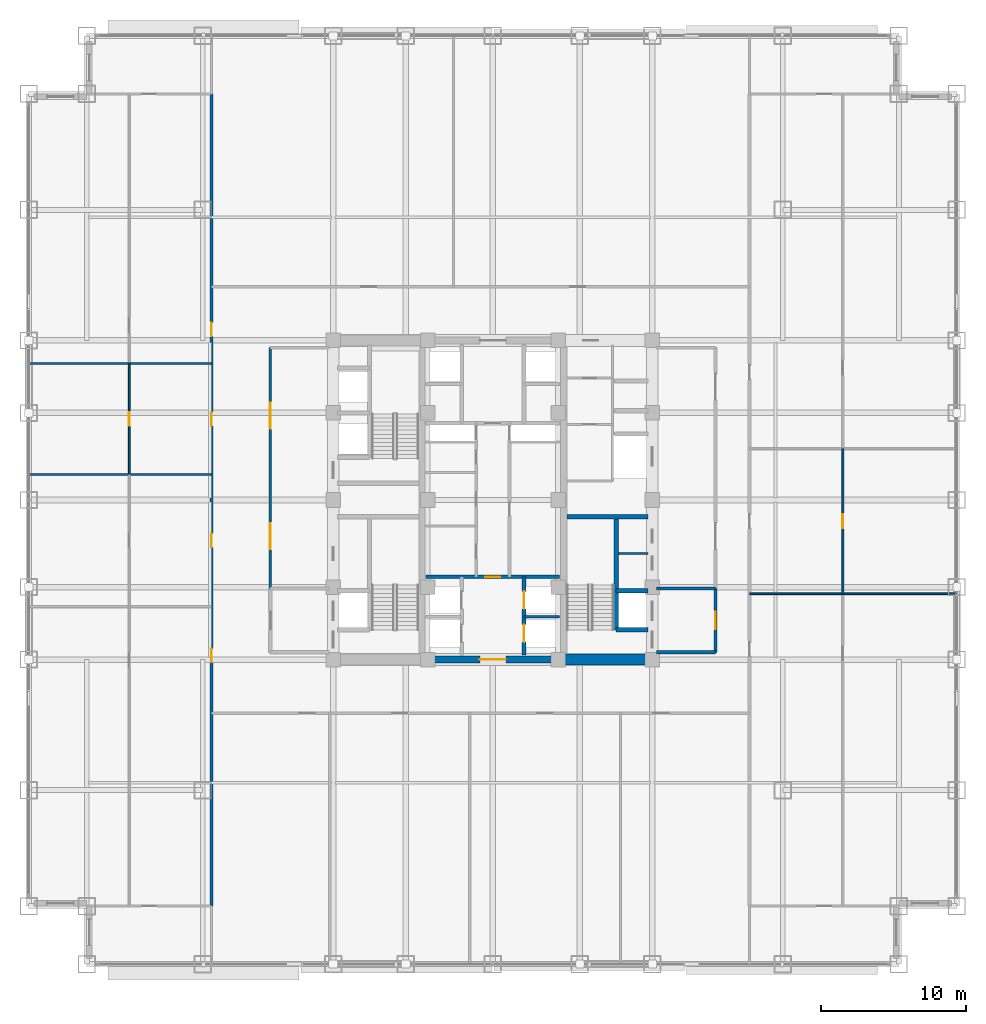
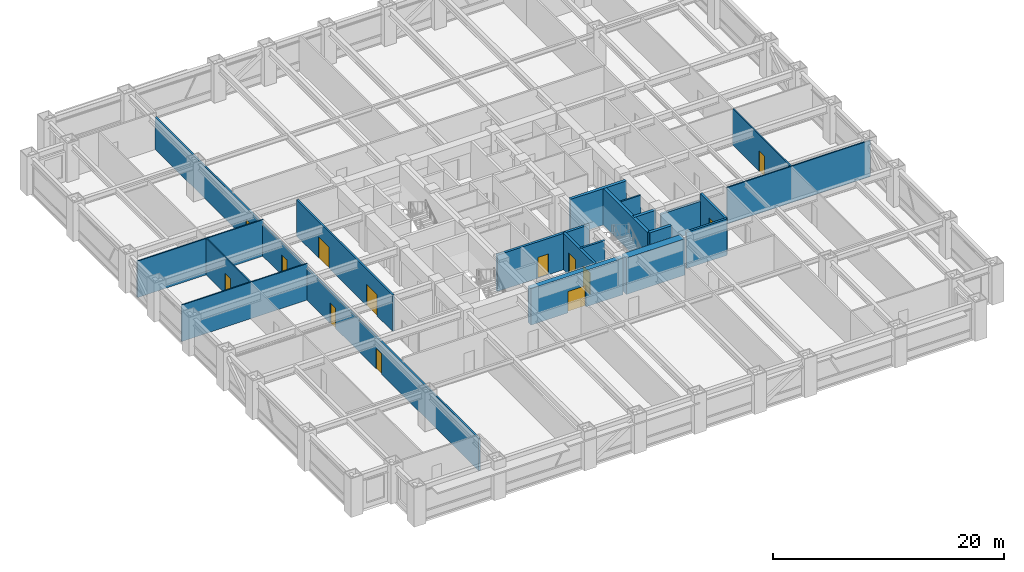
# One storey, part 24 of 32: 20 walls, 13 doors, 13 openings.
"""IFC4 building model written with IfcOpenShell, lengths in metres."""

from ifc_helpers import new_model, si_unit, direction, frame, frame_2d, origin, place, context, subcontext, project, spatial, rectangle, extrude, source, transform, mapped, material, layer, layer_set, type_object, element, fill, save


model = new_model("IFC4")

# Units and contexts
model_context = context("Model", 3, precision=1e-05, world=origin(), true_north=direction((0.0, 1.0)))
body_context = subcontext(model_context, "Body", "Model", "MODEL_VIEW")
ifc_project = project(units=[si_unit("LENGTHUNIT", "METRE"), si_unit("AREAUNIT", "SQUARE_METRE"), si_unit("VOLUMEUNIT", "CUBIC_METRE"), si_unit("PLANEANGLEUNIT", "RADIAN"), si_unit("MASSUNIT", "GRAM", prefix="KILO")], contexts=[model_context])

# Site, building, storey
site_placement = place(None, origin())
site = spatial("IfcSite", under=ifc_project, at=site_placement, CompositionType="ELEMENT")
building_placement = place(site_placement, origin())
building = spatial("IfcBuilding", under=site, at=building_placement, Name="Khorayat Bourse Tower", CompositionType="ELEMENT")
storey_placement = place(building_placement, frame((0.0, 0.0, 128.300048828125)))
storey = spatial("IfcBuildingStorey", under=building, at=storey_placement, Name="L29", CompositionType="ELEMENT", Elevation=128.300048828125)

# Walls
ifc_material_1 = material(Name="Concrete C72/90", Category="concrete")
ifc_layer_1 = layer(ifc_material_1, 0.75)
ifc_layer_set_1 = layer_set([ifc_layer_1], Name="Concrete C72/90")
wall_type_1 = type_object("IfcWallType", Name="WAL-CORE-750", PredefinedType="SHEAR", material=ifc_layer_set_1)
shared_shape_1 = source(origin(), body_context, "Body", "SweptSolid", [
    extrude(rectangle(XDim=5.849853515625, YDim=0.75, at=frame_2d((2.9248046875, 0.0))), origin(), (0.0, 0.0, 1.0), 3.83984375),
])
wall_1_placement = place(storey_placement, frame((4.85009765625, -11.0, 0.0), z_axis=(0.0, 0.0, 1.0), x_axis=(1.0, 0.0, 0.0)))
element("IfcWall", 1, at=wall_1_placement, inside=storey, type_object=wall_type_1, Name="L29 Core Shear Wall PIER-ES", PredefinedType="SHEAR", context=body_context, shape_type="MappedRepresentation", body=[
    mapped(shared_shape_1, transform((0.0, 0.0, 0.0), scale=1.0)),
])
ifc_material_2 = material(Name="Concrete C50/60", Category="concrete")
ifc_layer_2 = layer(ifc_material_2, 0.300048828125)
ifc_layer_set_2 = layer_set([ifc_layer_2], Name="Concrete C50/60")
wall_type_2 = type_object("IfcWallType", Name="WAL-SHAFT-300", PredefinedType="SHEAR", material=ifc_layer_set_2)
shared_shape_2 = source(origin(), body_context, "Body", "SweptSolid", [
    extrude(rectangle(XDim=5.599853515625, YDim=0.300048828125, at=frame_2d((2.7998046875, 0.0))), origin(), (0.0, 0.0, 1.0), 3.83984375),
])
wall_2_placement = place(storey_placement, frame((5.10009765625, -1.14990234375, 0.0), z_axis=(0.0, 0.0, 1.0), x_axis=(1.0, 0.0, 0.0)))
element("IfcWall", 2, at=wall_2_placement, inside=storey, type_object=wall_type_2, Name="L29 Core Shear Wall ST3-DIV", PredefinedType="SHEAR", context=body_context, shape_type="MappedRepresentation", body=[
    mapped(shared_shape_2, transform((0.0, 0.0, 0.0), scale=1.0)),
])

# Wall, opening, door
ifc_material_3 = material(Name="Concrete C52/65", Category="concrete")
ifc_layer_3 = layer(ifc_material_3, 0.5)
ifc_layer_set_3 = layer_set([ifc_layer_3], Name="Concrete C52/65")
wall_type_3 = type_object("IfcWallType", Name="WAL-CORE-500", PredefinedType="SHEAR", material=ifc_layer_set_3)
shared_shape_3 = source(origin(), body_context, "Body", "SweptSolid", [
    extrude(rectangle(XDim=9.2001953125, YDim=0.5, at=frame_2d((4.60009765625, 0.0))), origin(), (0.0, 0.0, 1.0), 3.83984375),
])
wall_3_placement = place(storey_placement, frame((-4.60009765625, -11.0, 0.0), z_axis=(0.0, 0.0, 1.0), x_axis=(1.0, 0.0, 0.0)))
wall_3 = element("IfcWall", 3, at=wall_3_placement, inside=storey, type_object=wall_type_3, Name="L29 Core Shear Wall CORE-S", PredefinedType="SHEAR", context=body_context, shape_type="MappedRepresentation", body=[
    mapped(shared_shape_3, transform((0.0, 0.0, 0.0), scale=1.0)),
])
shared_shape_4 = source(origin(), body_context, "Body", "SweptSolid", [
    extrude(rectangle(XDim=1.800048828125, YDim=2.25, at=frame_2d((0.89990234375, 1.125))), frame((0.0, 0.260009765625, 0.0), z_axis=(0.0, -1.0, 0.0), x_axis=(1.0, 0.0, 0.0)), (0.0, 0.0, 1.0), 0.52001953125),
])
opening_1_placement = place(wall_3_placement, frame((3.699951171875, 0.0, 0.0)))
opening_1 = element("IfcOpeningElement", 4, at=opening_1_placement, cuts=wall_3, Name="Opening DI-03", PredefinedType="OPENING", context=body_context, shape_type="MappedRepresentation", body=[
    mapped(shared_shape_4, transform((0.0, 0.0, 0.0), scale=1.0)),
])
ifc_material_4 = material(Name="Fire-rated hardwood vision-panel double leaf", Category="wood")
door_type_1 = type_object("IfcDoorType", Name="DR-INT-CORR-1800", OperationType="NOTDEFINED", PredefinedType="DOOR", material=ifc_material_4)
shared_shape_5 = source(origin(), body_context, "Body", "SweptSolid", [
    extrude(rectangle(XDim=1.800048828125, YDim=2.25, at=frame_2d((0.89990234375, 1.125))), frame((0.0, 0.02490234375, 0.0), z_axis=(0.0, -1.0, 0.0), x_axis=(1.0, 0.0, 0.0)), (0.0, 0.0, 1.0), 0.050048828125),
])
door_1_placement = place(opening_1_placement, origin())
door_1 = element("IfcDoor", 5, at=door_1_placement, inside=storey, type_object=door_type_1, Name="L29 Low-Rise Lift Lobby Door", OperationType="SINGLE_SWING_LEFT", OverallHeight=2.25, OverallWidth=1.800048828125, PredefinedType="DOOR", context=body_context, shape_type="MappedRepresentation", body=[
    mapped(shared_shape_5, transform((0.0, 0.0, 0.0), scale=1.0)),
])
fill(opening_1, door_1)

# Walls
ifc_material_5 = material(Name="Aerated concrete blockwork", Category="masonry")
ifc_layer_4 = layer(ifc_material_5, 0.219970703125)
ifc_layer_set_4 = layer_set([ifc_layer_4], Name="Aerated concrete blockwork")
wall_type_4 = type_object("IfcWallType", Name="WAL-PART-FF-220", PredefinedType="PARTITIONING", material=ifc_layer_set_4)
shared_shape_6 = source(origin(), body_context, "Body", "SweptSolid", [
    extrude(rectangle(XDim=4.050048828125, YDim=0.219970703125, at=frame_2d((2.02490234375, 0.0))), origin(), (0.0, 0.0, 1.0), 3.06689453125),
])
wall_4_placement = place(storey_placement, frame((11.300048828125, -6.10009765625, 0.0), z_axis=(0.0, 0.0, 1.0), x_axis=(1.0, 0.0, 0.0)))
element("IfcWall", 6, at=wall_4_placement, inside=storey, type_object=wall_type_4, Name="L29 Partition WAL-L29-FFLE-N", PredefinedType="PARTITIONING", context=body_context, shape_type="MappedRepresentation", body=[
    mapped(shared_shape_6, transform((0.0, 0.0, 0.0), scale=1.0)),
])
shared_shape_7 = source(origin(), body_context, "Body", "SweptSolid", [
    extrude(rectangle(XDim=7.800048828125, YDim=0.300048828125, at=frame_2d((3.89990234375, 0.0))), origin(), (0.0, 0.0, 1.0), 3.83984375),
])
wall_5_placement = place(storey_placement, frame((8.5, -8.949951171875, 0.0), z_axis=(0.0, 0.0, 1.0), x_axis=(0.0, 1.0, 0.0)))
element("IfcWall", 7, at=wall_5_placement, inside=storey, type_object=wall_type_2, Name="L29 Partition WAL-L29-EPIER-SP", PredefinedType="SHEAR", context=body_context, shape_type="MappedRepresentation", body=[
    mapped(shared_shape_7, transform((0.0, 0.0, 0.0), scale=1.0)),
])
shared_shape_8 = source(origin(), body_context, "Body", "SweptSolid", [
    extrude(rectangle(XDim=2.199951171875, YDim=0.300048828125, at=frame_2d((1.10009765625, 0.0))), origin(), (0.0, 0.0, 1.0), 3.83984375),
])
for number, where, z_axis, x_axis, name in (
    (8, (8.5, -8.949951171875, 0.0), (0.0, 0.0, 1.0), (1.0, 0.0, 0.0), "L29 Partition WAL-L29-EPIER-FF2S"),
    (9, (8.5, -6.25, 0.0), (0.0, 0.0, 1.0), (1.0, 0.0, 0.0), "L29 Partition WAL-L29-EPIER-FF2N"),
):
    element("IfcWall", number, at=place(storey_placement, frame(where, z_axis=z_axis, x_axis=x_axis)), inside=storey, type_object=wall_type_2, Name=name, PredefinedType="SHEAR", context=body_context, shape_type="MappedRepresentation", body=[
        mapped(shared_shape_8, transform((0.0, 0.0, 0.0), scale=1.0)),
    ])
ifc_material_6 = material(Name="Gypsum plasterboard twin-frame partition")
ifc_layer_5 = layer(ifc_material_6, 0.14990234375)
ifc_layer_set_5 = layer_set([ifc_layer_5], Name="Gypsum plasterboard twin-frame partition")
wall_type_5 = type_object("IfcWallType", Name="WAL-PART-SUITE-150", PredefinedType="PARTITIONING", material=ifc_layer_set_5)
shared_shape_9 = source(origin(), body_context, "Body", "SweptSolid", [
    extrude(rectangle(XDim=2.050048828125, YDim=0.14990234375, at=frame_2d((1.02490234375, 0.0))), origin(), (0.0, 0.0, 1.0), 3.83984375),
])
wall_6_placement = place(storey_placement, frame((8.64990234375, -3.699951171875, 0.0), z_axis=(0.0, 0.0, 1.0), x_axis=(1.0, 0.0, 0.0)))
element("IfcWall", 10, at=wall_6_placement, inside=storey, type_object=wall_type_5, Name="L29 Partition WAL-L29-ESRV-D1", PredefinedType="PARTITIONING", context=body_context, shape_type="MappedRepresentation", body=[
    mapped(shared_shape_9, transform((0.0, 0.0, 0.0), scale=1.0)),
])
shared_shape_10 = source(origin(), body_context, "Body", "SweptSolid", [
    extrude(rectangle(XDim=4.050048828125, YDim=0.219970703125, at=frame_2d((2.02490234375, 0.0))), origin(), (0.0, 0.0, 1.0), 3.83984375),
])
wall_7_placement = place(storey_placement, frame((11.300048828125, -10.5, 0.0), z_axis=(0.0, 0.0, 1.0), x_axis=(1.0, 0.0, 0.0)))
element("IfcWall", 11, at=wall_7_placement, inside=storey, type_object=wall_type_4, Name="L29 Partition WAL-L29-FFLE-S", PredefinedType="PARTITIONING", context=body_context, shape_type="MappedRepresentation", body=[
    mapped(shared_shape_10, transform((0.0, 0.0, 0.0), scale=1.0)),
])

# Wall, opening, door
shared_shape_11 = source(origin(), body_context, "Body", "SweptSolid", [
    extrude(rectangle(XDim=4.39990234375, YDim=0.219970703125, at=frame_2d((2.199951171875, 0.0))), origin(), (0.0, 0.0, 1.0), 3.83984375),
])
wall_8_placement = place(storey_placement, frame((15.35009765625, -10.5, 0.0), z_axis=(0.0, 0.0, 1.0), x_axis=(0.0, 1.0, 0.0)))
wall_8 = element("IfcWall", 12, at=wall_8_placement, inside=storey, type_object=wall_type_4, Name="L29 Partition WAL-L29-FFLE-E", PredefinedType="PARTITIONING", context=body_context, shape_type="MappedRepresentation", body=[
    mapped(shared_shape_11, transform((0.0, 0.0, 0.0), scale=1.0)),
])
shared_shape_12 = source(origin(), body_context, "Body", "SweptSolid", [
    extrude(rectangle(XDim=1.199951171875, YDim=2.199951171875, at=frame_2d((0.60009765625, 1.10009765625))), frame((0.0, 0.119873046875, 0.0), z_axis=(0.0, -1.0, 0.0), x_axis=(1.0, 0.0, 0.0)), (0.0, 0.0, 1.0), 0.239990234375),
])
opening_2_placement = place(wall_8_placement, frame((1.60009765625, 0.0, 0.0)))
opening_2 = element("IfcOpeningElement", 13, at=opening_2_placement, cuts=wall_8, Name="Opening DI-02", PredefinedType="OPENING", context=body_context, shape_type="MappedRepresentation", body=[
    mapped(shared_shape_12, transform((0.0, 0.0, 0.0), scale=1.0)),
])
ifc_material_7 = material(Name="Fire-rated steel double-seal leaf", Category="steel")
door_type_2 = type_object("IfcDoorType", Name="DR-INT-FFLOBBY-1200", OperationType="NOTDEFINED", PredefinedType="DOOR", material=ifc_material_7)
shared_shape_13 = source(origin(), body_context, "Body", "SweptSolid", [
    extrude(rectangle(XDim=1.199951171875, YDim=2.199951171875, at=frame_2d((0.60009765625, 1.10009765625))), frame((0.0, 0.02490234375, 0.0), z_axis=(0.0, -1.0, 0.0), x_axis=(1.0, 0.0, 0.0)), (0.0, 0.0, 1.0), 0.050048828125),
])
door_2_placement = place(opening_2_placement, origin())
door_2 = element("IfcDoor", 14, at=door_2_placement, inside=storey, type_object=door_type_2, Name="L29 East Firefighting Lobby Door", OperationType="SINGLE_SWING_RIGHT", OverallHeight=2.199951171875, OverallWidth=1.199951171875, PredefinedType="DOOR", context=body_context, shape_type="MappedRepresentation", body=[
    mapped(shared_shape_13, transform((0.0, 0.0, 0.0), scale=1.0)),
])
fill(opening_2, door_2)

# Wall, openings, doors
ifc_material_8 = material(Name="Gypsum plasterboard acoustic stud wall")
ifc_layer_6 = layer(ifc_material_8, 0.179931640625)
ifc_layer_set_6 = layer_set([ifc_layer_6], Name="Gypsum plasterboard acoustic stud wall")
wall_type_6 = type_object("IfcWallType", Name="WAL-PART-CORR-180", PredefinedType="PARTITIONING", material=ifc_layer_set_6)
shared_shape_14 = source(origin(), body_context, "Body", "SweptSolid", [
    extrude(rectangle(XDim=16.60009765625, YDim=0.179931640625, at=frame_2d((8.300048828125, 0.0))), origin(), (0.0, 0.0, 1.0), 3.83984375),
])
wall_9_placement = place(storey_placement, frame((-15.35009765625, -6.10009765625, 0.0), z_axis=(0.0, 0.0, 1.0), x_axis=(0.0, 1.0, 0.0)))
wall_9 = element("IfcWall", 15, at=wall_9_placement, inside=storey, type_object=wall_type_6, Name="L29 Partition WAL-L29-WLOB-W", PredefinedType="PARTITIONING", context=body_context, shape_type="MappedRepresentation", body=[
    mapped(shared_shape_14, transform((0.0, 0.0, 0.0), scale=1.0)),
])
shared_shape_15 = source(origin(), body_context, "Body", "SweptSolid", [
    extrude(rectangle(XDim=1.800048828125, YDim=2.25, at=frame_2d((0.89990234375, 1.125))), frame((0.0, 0.099853515625, 0.0), z_axis=(0.0, -1.0, 0.0), x_axis=(1.0, 0.0, 0.0)), (0.0, 0.0, 1.0), 0.199951171875),
])
opening_3_placement = place(wall_9_placement, frame((2.699951171875, 0.0, 0.0)))
opening_3 = element("IfcOpeningElement", 16, at=opening_3_placement, cuts=wall_9, Name="Opening DI-03", PredefinedType="OPENING", context=body_context, shape_type="MappedRepresentation", body=[
    mapped(shared_shape_15, transform((0.0, 0.0, 0.0), scale=1.0)),
])
opening_4_placement = place(wall_9_placement, frame((11.0, 0.0, 0.0)))
opening_4 = element("IfcOpeningElement", 17, at=opening_4_placement, cuts=wall_9, Name="Opening DI-03", PredefinedType="OPENING", context=body_context, shape_type="MappedRepresentation", body=[
    mapped(shared_shape_15, transform((0.0, 0.0, 0.0), scale=1.0)),
])
door_3_placement = place(opening_3_placement, origin())
door_3 = element("IfcDoor", 18, at=door_3_placement, inside=storey, type_object=door_type_1, Name="L29 West Core Lobby South Door", OperationType="SINGLE_SWING_LEFT", OverallHeight=2.25, OverallWidth=1.800048828125, PredefinedType="DOOR", context=body_context, shape_type="MappedRepresentation", body=[
    mapped(shared_shape_5, transform((0.0, 0.0, 0.0), scale=1.0)),
])
fill(opening_3, door_3)
door_4_placement = place(opening_4_placement, origin())
door_4 = element("IfcDoor", 19, at=door_4_placement, inside=storey, type_object=door_type_1, Name="L29 West Core Lobby North Door", OperationType="SINGLE_SWING_RIGHT", OverallHeight=2.25, OverallWidth=1.800048828125, PredefinedType="DOOR", context=body_context, shape_type="MappedRepresentation", body=[
    mapped(shared_shape_5, transform((0.0, 0.0, 0.0), scale=1.0)),
])
fill(opening_4, door_4)

shared_shape_16 = source(origin(), body_context, "Body", "SweptSolid", [
    extrude(rectangle(XDim=5.39990234375, YDim=0.25, at=frame_2d((2.699951171875, 0.0))), origin(), (0.0, 0.0, 1.0), 3.83984375),
])
wall_10_placement = place(storey_placement, frame((2.14990234375, -10.699951171875, 0.0), z_axis=(0.0, 0.0, 1.0), x_axis=(0.0, 1.0, 0.0)))
wall_10 = element("IfcWall", 20, at=wall_10_placement, inside=storey, type_object=wall_type_2, Name="L29 Partition WAL-L29-B1-E", PredefinedType="SHEAR", context=body_context, shape_type="MappedRepresentation", body=[
    mapped(shared_shape_16, transform((0.0, 0.0, 0.0), scale=1.0)),
])
shared_shape_17 = source(origin(), body_context, "Body", "SweptSolid", [
    extrude(rectangle(XDim=1.199951171875, YDim=2.300048828125, at=frame_2d((0.60009765625, 1.14990234375))), frame((0.0, 0.135009765625, 0.0), z_axis=(0.0, -1.0, 0.0), x_axis=(1.0, 0.0, 0.0)), (0.0, 0.0, 1.0), 0.27001953125),
])
opening_5_placement = place(wall_10_placement, frame((0.89990234375, 0.0, 0.0)))
opening_5 = element("IfcOpeningElement", 21, at=opening_5_placement, cuts=wall_10, Name="Opening LD-01", PredefinedType="OPENING", context=body_context, shape_type="MappedRepresentation", body=[
    mapped(shared_shape_17, transform((0.0, 0.0, 0.0), scale=1.0)),
])
opening_6_placement = place(wall_10_placement, frame((3.199951171875, 0.0, 0.0)))
opening_6 = element("IfcOpeningElement", 22, at=opening_6_placement, cuts=wall_10, Name="Opening LD-01", PredefinedType="OPENING", context=body_context, shape_type="MappedRepresentation", body=[
    mapped(shared_shape_17, transform((0.0, 0.0, 0.0), scale=1.0)),
])
ifc_material_9 = material(Name="Brushed bronze stainless-steel sliding door", Category="steel")
door_type_3 = type_object("IfcDoorType", Name="DR-LIFT-PASS-1200", OperationType="NOTDEFINED", PredefinedType="DOOR", material=ifc_material_9)
shared_shape_18 = source(origin(), body_context, "Body", "SweptSolid", [
    extrude(rectangle(XDim=1.199951171875, YDim=2.300048828125, at=frame_2d((0.60009765625, 1.14990234375))), frame((0.0, 0.02490234375, 0.0), z_axis=(0.0, -1.0, 0.0), x_axis=(1.0, 0.0, 0.0)), (0.0, 0.0, 1.0), 0.050048828125),
])
door_5_placement = place(opening_5_placement, origin())
door_5 = element("IfcDoor", 23, at=door_5_placement, inside=storey, type_object=door_type_3, Name="L29 Lift PL-L2 Sliding Landing Door", OperationType="SLIDING_TO_LEFT", OverallHeight=2.300048828125, OverallWidth=1.199951171875, PredefinedType="DOOR", context=body_context, shape_type="MappedRepresentation", body=[
    mapped(shared_shape_18, transform((0.0, 0.0, 0.0), scale=1.0)),
])
fill(opening_5, door_5)
door_6_placement = place(opening_6_placement, origin())
door_6 = element("IfcDoor", 24, at=door_6_placement, inside=storey, type_object=door_type_3, Name="L29 Lift PL-L4 Sliding Landing Door", OperationType="SLIDING_TO_LEFT", OverallHeight=2.300048828125, OverallWidth=1.199951171875, PredefinedType="DOOR", context=body_context, shape_type="MappedRepresentation", body=[
    mapped(shared_shape_18, transform((0.0, 0.0, 0.0), scale=1.0)),
])
fill(opening_6, door_6)

# Wall
shared_shape_19 = source(origin(), body_context, "Body", "SweptSolid", [
    extrude(rectangle(XDim=2.4501953125, YDim=0.199951171875, at=frame_2d((1.22509765625, 0.0))), origin(), (0.0, 0.0, 1.0), 3.83984375),
])
wall_11_placement = place(storey_placement, frame((2.14990234375, -8.050048828125, 0.0), z_axis=(0.0, 0.0, 1.0), x_axis=(1.0, 0.0, 0.0)))
element("IfcWall", 25, at=wall_11_placement, inside=storey, type_object=wall_type_2, Name="L29 Partition WAL-L29-B1-ME", PredefinedType="SHEAR", context=body_context, shape_type="MappedRepresentation", body=[
    mapped(shared_shape_19, transform((0.0, 0.0, 0.0), scale=1.0)),
])

# Wall, opening, door
shared_shape_20 = source(origin(), body_context, "Body", "SweptSolid", [
    extrude(rectangle(XDim=9.2001953125, YDim=0.25, at=frame_2d((4.60009765625, 0.0))), origin(), (0.0, 0.0, 1.0), 3.83984375),
])
wall_12_placement = place(storey_placement, frame((-4.60009765625, -5.300048828125, 0.0), z_axis=(0.0, 0.0, 1.0), x_axis=(1.0, 0.0, 0.0)))
wall_12 = element("IfcWall", 26, at=wall_12_placement, inside=storey, type_object=wall_type_2, Name="L29 Partition WAL-L29-B1-N", PredefinedType="SHEAR", context=body_context, shape_type="MappedRepresentation", body=[
    mapped(shared_shape_20, transform((0.0, 0.0, 0.0), scale=1.0)),
])
shared_shape_21 = source(origin(), body_context, "Body", "SweptSolid", [
    extrude(rectangle(XDim=1.050048828125, YDim=2.199951171875, at=frame_2d((0.52490234375, 1.10009765625))), frame((0.0, 0.135009765625, 0.0), z_axis=(0.0, -1.0, 0.0), x_axis=(1.0, 0.0, 0.0)), (0.0, 0.0, 1.0), 0.27001953125),
])
opening_7_placement = place(wall_12_placement, frame((4.074951171875, 0.0, 0.0)))
opening_7 = element("IfcOpeningElement", 27, at=opening_7_placement, cuts=wall_12, Name="Opening DI-04", PredefinedType="OPENING", context=body_context, shape_type="MappedRepresentation", body=[
    mapped(shared_shape_21, transform((0.0, 0.0, 0.0), scale=1.0)),
])
ifc_material_10 = material(Name="Fire-rated oak veneer suite entrance door")
door_type_4 = type_object("IfcDoorType", Name="DR-INT-SUITE-1050", OperationType="NOTDEFINED", PredefinedType="DOOR", material=ifc_material_10)
shared_shape_22 = source(origin(), body_context, "Body", "SweptSolid", [
    extrude(rectangle(XDim=1.050048828125, YDim=2.199951171875, at=frame_2d((0.52490234375, 1.10009765625))), frame((0.0, 0.02490234375, 0.0), z_axis=(0.0, -1.0, 0.0), x_axis=(1.0, 0.0, 0.0)), (0.0, 0.0, 1.0), 0.050048828125),
])
door_7_placement = place(opening_7_placement, origin())
door_7 = element("IfcDoor", 28, at=door_7_placement, inside=storey, type_object=door_type_4, Name="L29 Core Spine South Door", OperationType="SINGLE_SWING_LEFT", OverallHeight=2.199951171875, OverallWidth=1.050048828125, PredefinedType="DOOR", context=body_context, shape_type="MappedRepresentation", body=[
    mapped(shared_shape_22, transform((0.0, 0.0, 0.0), scale=1.0)),
])
fill(opening_7, door_7)

# Walls
ifc_material_11 = material(Name="Gypsum plasterboard partition")
ifc_layer_7 = layer(ifc_material_11, 0.125)
ifc_layer_set_7 = layer_set([ifc_layer_7], Name="Gypsum plasterboard partition")
wall_type_7 = type_object("IfcWallType", Name="WAL-PART-ROOM-125", PredefinedType="PARTITIONING", material=ifc_layer_set_7)
shared_shape_23 = source(origin(), body_context, "Body", "SweptSolid", [
    extrude(rectangle(XDim=12.60009765625, YDim=0.125, at=frame_2d((6.300048828125, 0.0))), origin(), (0.0, 0.0, 1.0), 3.83984375),
])
for number, where, z_axis, x_axis, name in (
    (29, (-32.0, 1.763916015625, 0.0), (0.0, 0.0, 1.0), (1.0, 0.0, 0.0), "L29 Partition WAL-L29-WDV-2"),
    (30, (-32.0, 9.407958984375, 0.0), (0.0, 0.0, 1.0), (1.0, 0.0, 0.0), "L29 Partition WAL-L29-WDV-3"),
):
    element("IfcWall", number, at=place(storey_placement, frame(where, z_axis=z_axis, x_axis=x_axis)), inside=storey, type_object=wall_type_7, Name=name, PredefinedType="PARTITIONING", context=body_context, shape_type="MappedRepresentation", body=[
        mapped(shared_shape_23, transform((0.0, 0.0, 0.0), scale=1.0)),
    ])

# Wall, openings, doors
shared_shape_24 = source(origin(), body_context, "Body", "SweptSolid", [
    extrude(rectangle(XDim=56.0, YDim=0.179931640625, at=frame_2d((28.0, 0.0))), origin(), (0.0, 0.0, 1.0), 3.370849609375),
])
wall_13_placement = place(storey_placement, frame((-19.39990234375, -28.0, 0.0), z_axis=(0.0, 0.0, 1.0), x_axis=(0.0, 1.0, 0.0)))
wall_13 = element("IfcWall", 31, at=wall_13_placement, inside=storey, type_object=wall_type_6, Name="L29 Partition WAL-L29-WCORR", PredefinedType="PARTITIONING", context=body_context, shape_type="MappedRepresentation", body=[
    mapped(shared_shape_24, transform((0.0, 0.0, 0.0), scale=1.0)),
])
shared_shape_25 = source(origin(), body_context, "Body", "SweptSolid", [
    extrude(rectangle(XDim=0.949951171875, YDim=2.14990234375, at=frame_2d((0.47509765625, 1.074951171875))), frame((0.0, 0.099853515625, 0.0), z_axis=(0.0, -1.0, 0.0), x_axis=(1.0, 0.0, 0.0)), (0.0, 0.0, 1.0), 0.199951171875),
])
opening_8_placement = place(wall_13_placement, frame((16.800048828125, 0.0, 0.0)))
opening_8 = element("IfcOpeningElement", 32, at=opening_8_placement, cuts=wall_13, Name="Opening DI-05", PredefinedType="OPENING", context=body_context, shape_type="MappedRepresentation", body=[
    mapped(shared_shape_25, transform((0.0, 0.0, 0.0), scale=1.0)),
])
opening_9_placement = place(wall_13_placement, frame((24.73193359375, 0.0, 0.0)))
opening_9 = element("IfcOpeningElement", 33, at=opening_9_placement, cuts=wall_13, Name="Opening DI-05", PredefinedType="OPENING", context=body_context, shape_type="MappedRepresentation", body=[
    mapped(shared_shape_25, transform((0.0, 0.0, 0.0), scale=1.0)),
])
opening_10_placement = place(wall_13_placement, frame((33.111083984375, 0.0, 0.0)))
opening_10 = element("IfcOpeningElement", 34, at=opening_10_placement, cuts=wall_13, Name="Opening DI-05", PredefinedType="OPENING", context=body_context, shape_type="MappedRepresentation", body=[
    mapped(shared_shape_25, transform((0.0, 0.0, 0.0), scale=1.0)),
])
opening_11_placement = place(wall_13_placement, frame((39.279052734375, 0.0, 0.0)))
opening_11 = element("IfcOpeningElement", 35, at=opening_11_placement, cuts=wall_13, Name="Opening DI-05", PredefinedType="OPENING", context=body_context, shape_type="MappedRepresentation", body=[
    mapped(shared_shape_25, transform((0.0, 0.0, 0.0), scale=1.0)),
])
ifc_material_12 = material(Name="Acoustic oak veneer office door")
door_type_5 = type_object("IfcDoorType", Name="DR-INT-OFFICE-950", OperationType="NOTDEFINED", PredefinedType="DOOR", material=ifc_material_12)
shared_shape_26 = source(origin(), body_context, "Body", "SweptSolid", [
    extrude(rectangle(XDim=0.949951171875, YDim=2.14990234375, at=frame_2d((0.47509765625, 1.074951171875))), frame((0.0, 0.02490234375, 0.0), z_axis=(0.0, -1.0, 0.0), x_axis=(1.0, 0.0, 0.0)), (0.0, 0.0, 1.0), 0.050048828125),
])
door_8_placement = place(opening_8_placement, origin())
door_8 = element("IfcDoor", 36, at=door_8_placement, inside=storey, type_object=door_type_5, Name="L29 Executive Boardroom W1 Door", OperationType="SINGLE_SWING_RIGHT", OverallHeight=2.14990234375, OverallWidth=0.949951171875, PredefinedType="DOOR", context=body_context, shape_type="MappedRepresentation", body=[
    mapped(shared_shape_26, transform((0.0, 0.0, 0.0), scale=1.0)),
])
fill(opening_8, door_8)
door_9_placement = place(opening_9_placement, origin())
door_9 = element("IfcDoor", 37, at=door_9_placement, inside=storey, type_object=door_type_5, Name="L29 Catering Servery Kitchen W2 Door", OperationType="SINGLE_SWING_LEFT", OverallHeight=2.14990234375, OverallWidth=0.949951171875, PredefinedType="DOOR", context=body_context, shape_type="MappedRepresentation", body=[
    mapped(shared_shape_26, transform((0.0, 0.0, 0.0), scale=1.0)),
])
fill(opening_9, door_9)
door_10_placement = place(opening_10_placement, origin())
door_10 = element("IfcDoor", 38, at=door_10_placement, inside=storey, type_object=door_type_5, Name="L29 Clearing Operations Office W3 Door", OperationType="SINGLE_SWING_RIGHT", OverallHeight=2.14990234375, OverallWidth=0.949951171875, PredefinedType="DOOR", context=body_context, shape_type="MappedRepresentation", body=[
    mapped(shared_shape_26, transform((0.0, 0.0, 0.0), scale=1.0)),
])
fill(opening_10, door_10)
door_11_placement = place(opening_11_placement, origin())
door_11 = element("IfcDoor", 39, at=door_11_placement, inside=storey, type_object=door_type_5, Name="L29 Clearing Records Archive Store W4 Door", OperationType="SINGLE_SWING_LEFT", OverallHeight=2.14990234375, OverallWidth=0.949951171875, PredefinedType="DOOR", context=body_context, shape_type="MappedRepresentation", body=[
    mapped(shared_shape_26, transform((0.0, 0.0, 0.0), scale=1.0)),
])
fill(opening_11, door_11)

# Wall
shared_shape_27 = source(origin(), body_context, "Body", "SweptSolid", [
    extrude(rectangle(XDim=14.300048828125, YDim=0.125, at=frame_2d((7.14990234375, 0.0))), origin(), (0.0, 0.0, 1.0), 3.83984375),
])
wall_14_placement = place(storey_placement, frame((17.699951171875, -6.468017578125, 0.0), z_axis=(0.0, 0.0, 1.0), x_axis=(1.0, 0.0, 0.0)))
element("IfcWall", 40, at=wall_14_placement, inside=storey, type_object=wall_type_7, Name="L29 Partition WAL-L29-EDV-1", PredefinedType="PARTITIONING", context=body_context, shape_type="MappedRepresentation", body=[
    mapped(shared_shape_27, transform((0.0, 0.0, 0.0), scale=1.0)),
])

# Wall, opening, door
shared_shape_28 = source(origin(), body_context, "Body", "SweptSolid", [
    extrude(rectangle(XDim=7.64404296875, YDim=0.125, at=frame_2d((3.822021484375, 0.0))), origin(), (0.0, 0.0, 1.0), 3.83984375),
])
wall_15_placement = place(storey_placement, frame((-25.070068359375, 1.763916015625, 0.0), z_axis=(0.0, 0.0, 1.0), x_axis=(0.0, 1.0, 0.0)))
wall_15 = element("IfcWall", 41, at=wall_15_placement, inside=storey, type_object=wall_type_7, Name="L29 Partition WAL-L29-WDP-3", PredefinedType="PARTITIONING", context=body_context, shape_type="MappedRepresentation", body=[
    mapped(shared_shape_28, transform((0.0, 0.0, 0.0), scale=1.0)),
])
shared_shape_29 = source(origin(), body_context, "Body", "SweptSolid", [
    extrude(rectangle(XDim=0.949951171875, YDim=2.14990234375, at=frame_2d((0.47509765625, 1.074951171875))), frame((0.0, 0.072509765625, 0.0), z_axis=(0.0, -1.0, 0.0), x_axis=(1.0, 0.0, 0.0)), (0.0, 0.0, 1.0), 0.14501953125),
])
opening_12_placement = place(wall_15_placement, frame((3.346923828125, 0.0, 0.0)))
opening_12 = element("IfcOpeningElement", 42, at=opening_12_placement, cuts=wall_15, Name="Opening DI-05", PredefinedType="OPENING", context=body_context, shape_type="MappedRepresentation", body=[
    mapped(shared_shape_29, transform((0.0, 0.0, 0.0), scale=1.0)),
])
door_12_placement = place(opening_12_placement, origin())
door_12 = element("IfcDoor", 43, at=door_12_placement, inside=storey, type_object=door_type_5, Name="L29 Equities Trading Desk W3B Door", OperationType="SINGLE_SWING_RIGHT", OverallHeight=2.14990234375, OverallWidth=0.949951171875, PredefinedType="DOOR", context=body_context, shape_type="MappedRepresentation", body=[
    mapped(shared_shape_26, transform((0.0, 0.0, 0.0), scale=1.0)),
])
fill(opening_12, door_12)

shared_shape_30 = source(origin(), body_context, "Body", "SweptSolid", [
    extrude(rectangle(XDim=9.99609375, YDim=0.125, at=frame_2d((4.998046875, 0.0))), origin(), (0.0, 0.0, 1.0), 3.83984375),
])
wall_16_placement = place(storey_placement, frame((24.135009765625, -6.468017578125, 0.0), z_axis=(0.0, 0.0, 1.0), x_axis=(0.0, 1.0, 0.0)))
wall_16 = element("IfcWall", 44, at=wall_16_placement, inside=storey, type_object=wall_type_7, Name="L29 Partition WAL-L29-EDP-2", PredefinedType="PARTITIONING", context=body_context, shape_type="MappedRepresentation", body=[
    mapped(shared_shape_30, transform((0.0, 0.0, 0.0), scale=1.0)),
])
opening_13_placement = place(wall_16_placement, frame((4.52294921875, 0.0, 0.0)))
opening_13 = element("IfcOpeningElement", 45, at=opening_13_placement, cuts=wall_16, Name="Opening DI-05", PredefinedType="OPENING", context=body_context, shape_type="MappedRepresentation", body=[
    mapped(shared_shape_29, transform((0.0, 0.0, 0.0), scale=1.0)),
])
door_13_placement = place(opening_13_placement, origin())
door_13 = element("IfcDoor", 46, at=door_13_placement, inside=storey, type_object=door_type_5, Name="L29 Members Dining Room E2B Door", OperationType="SINGLE_SWING_LEFT", OverallHeight=2.14990234375, OverallWidth=0.949951171875, PredefinedType="DOOR", context=body_context, shape_type="MappedRepresentation", body=[
    mapped(shared_shape_26, transform((0.0, 0.0, 0.0), scale=1.0)),
])
fill(opening_13, door_13)

save(model, "model.ifc")
